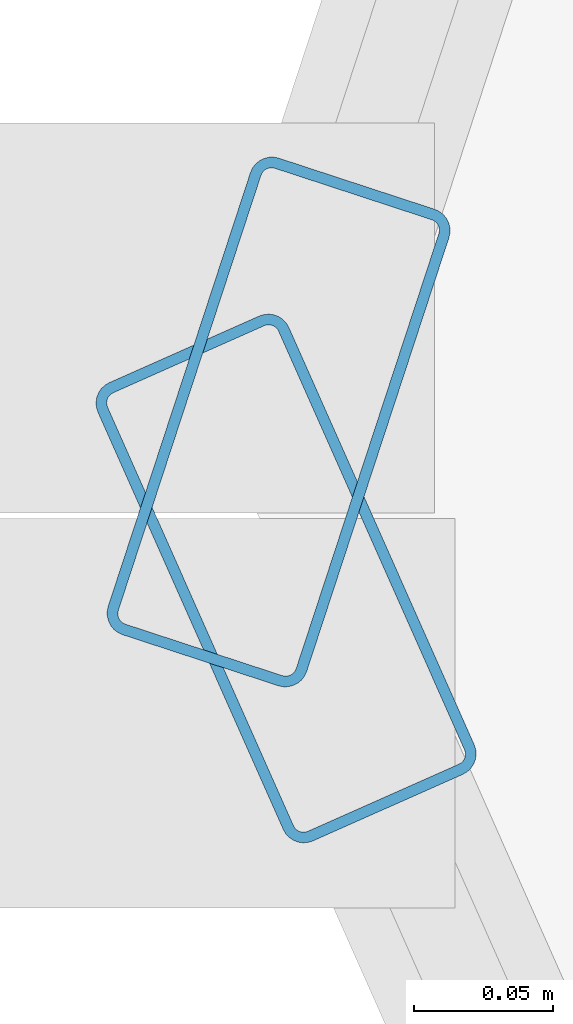
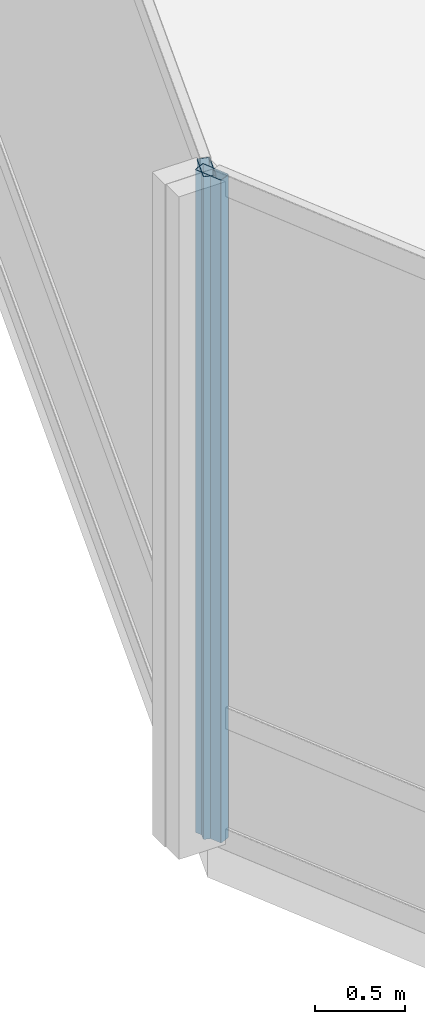
# One storey, part 7 of 42: 2 members, 2 elements without a shape of their own.
"""IFC4 building model written with IfcOpenShell, lengths in metres."""

import ifcopenshell
import ifcopenshell.guid

model = None  # the IFC model being written
_history = None  # IfcOwnerHistory: only IFC2X3 demands one
_inside = {}  # id of a spatial element -> (the spatial element, [elements in it])
_under = {}  # id of a project, library or spatial element -> (it, [spatial elements below it])
_declared = {}  # id of a project -> (the project, [libraries it declares])
_typed = {}  # id of a type object -> (the type object, [elements of that type])
_made_of = {}  # id of a material, layer set ... -> (it, [elements and type objects made of it])


def new_model(schema):
    """Start an empty IFC model of exactly this schema.

    Asked for "IFC4X3", IfcOpenShell would pick the latest addendum, in which some entities
    have other attributes; the version numbers below select the first issue.
    IFC2X3 requires an IfcOwnerHistory on every rooted entity: one is made here for all.
    """
    global model, _history
    if schema == "IFC4X3":
        model = ifcopenshell.file(schema_version=(4, 3, 0, 0))
    else:
        model = ifcopenshell.file(schema=schema)
    _inside.clear()
    _under.clear()
    _declared.clear()
    _typed.clear()
    _made_of.clear()
    _history = None
    if model.schema == "IFC2X3":
        org = make("IfcOrganization", Name="unknown")
        user = make(
            "IfcPersonAndOrganization",
            ThePerson=make("IfcPerson", FamilyName="unknown"),
            TheOrganization=org,
        )
        app = make(
            "IfcApplication",
            ApplicationDeveloper=org,
            Version="unknown",
            ApplicationFullName="unknown",
            ApplicationIdentifier="unknown",
        )
        _history = make(
            "IfcOwnerHistory",
            OwningUser=user,
            OwningApplication=app,
            ChangeAction="ADDED",
            CreationDate=0,
        )
    return model


def make(cls, **values):
    """One entity of the class cls with the attributes given. An attribute that is None is left unset."""
    return model.create_entity(
        cls, **{name: value for name, value in values.items() if value is not None}
    )


def rooted(cls, **values):
    """An entity with a GlobalId (a new one), such as an element, a storey or a relation."""
    return make(cls, GlobalId=ifcopenshell.guid.new(), OwnerHistory=_history, **values)


def si_unit(unit_type, name, prefix=None):
    """IfcSIUnit, for example si_unit("LENGTHUNIT", "METRE", prefix="MILLI")."""
    return make("IfcSIUnit", UnitType=unit_type, Prefix=prefix, Name=name)


def assignment(units):
    """IfcUnitAssignment: the units of a project."""
    return None if units is None else make("IfcUnitAssignment", Units=units)


def point(xyz):
    """IfcCartesianPoint."""
    return None if xyz is None else make("IfcCartesianPoint", Coordinates=xyz)


def direction(xyz):
    """IfcDirection."""
    return None if xyz is None else make("IfcDirection", DirectionRatios=xyz)


def frame(location, z_axis=None, x_axis=None):
    """IfcAxis2Placement3D, a coordinate frame: its origin and axes. An axis left out is left unset."""
    return make(
        "IfcAxis2Placement3D",
        Location=point(location),
        Axis=direction(z_axis),
        RefDirection=direction(x_axis),
    )


def frame_2d(location, x_axis=None):
    """IfcAxis2Placement2D, a coordinate frame in the plane: its origin and x axis."""
    return make(
        "IfcAxis2Placement2D", Location=point(location), RefDirection=direction(x_axis)
    )


def origin():
    """The frame at (0, 0, 0) with its axes left unset."""
    return frame((0.0, 0.0, 0.0))


def origin_2d():
    """The frame at (0, 0) in the plane with its x axis left unset."""
    return frame_2d((0.0, 0.0))


def place(relative_to, where):
    """IfcLocalPlacement: puts the frame where relative to a parent placement (None: the world)."""
    return make(
        "IfcLocalPlacement", PlacementRelTo=relative_to, RelativePlacement=where
    )


def context(
    kind, dimensions, precision=None, world=None, true_north=None, identifier=None
):
    """IfcGeometricRepresentationContext, for example the 3D "Model" context."""
    return make(
        "IfcGeometricRepresentationContext",
        ContextIdentifier=identifier,
        ContextType=kind,
        CoordinateSpaceDimension=dimensions,
        Precision=precision,
        WorldCoordinateSystem=world,
        TrueNorth=true_north,
    )


def subcontext(parent, identifier, kind, view, scale=None):
    """IfcGeometricRepresentationSubContext, for example "Body" below "Model"."""
    return make(
        "IfcGeometricRepresentationSubContext",
        ContextIdentifier=identifier,
        ContextType=kind,
        ParentContext=parent,
        TargetScale=scale,
        TargetView=view,
    )


def project(units=None, contexts=None):
    """IfcProject with its units and contexts."""
    return rooted(
        "IfcProject",
        Name="project",
        RepresentationContexts=contexts,
        UnitsInContext=assignment(units),
    )


def spatial(cls, under=None, at=None, **own):
    """A site, building, storey or space (cls), placed at a placement, below another one or the project."""
    s = rooted(cls, ObjectPlacement=at, **own)
    if under is not None:
        _under.setdefault(under.id(), (under, []))[1].append(s)
    return s


def profile(cls, at=None, kind="AREA", **sizes):
    """A parametric profile (cls). Its sizes go by their IFC names, for example OverallWidth=200.0."""
    return make(cls, ProfileType=kind, Position=at, **sizes)


def hollow_rectangle(**sizes):
    """IfcRectangleHollowProfileDef."""
    return profile("IfcRectangleHollowProfileDef", **sizes)


def extrude(swept, where, along, depth):
    """IfcExtrudedAreaSolid: the profile swept, set in the frame where, extruded along a direction by depth."""
    return make(
        "IfcExtrudedAreaSolid",
        SweptArea=swept,
        Position=where,
        ExtrudedDirection=direction(along),
        Depth=depth,
    )


def shape(context_of_items, identifier, shape_type, items):
    """IfcShapeRepresentation: the items that make up one representation, for example the "Body"."""
    return make(
        "IfcShapeRepresentation",
        ContextOfItems=context_of_items,
        RepresentationIdentifier=identifier,
        RepresentationType=shape_type,
        Items=items,
    )


def material(Name=None, Category=None):
    """IfcMaterial."""
    return make("IfcMaterial", Name=Name, Category=Category)


def layer(
    of_material, thickness, ventilated=None, Name=None, Category=None, Priority=None
):
    """IfcMaterialLayer: one layer of a wall or slab, of a material (None: an air gap)."""
    return make(
        "IfcMaterialLayer",
        Material=of_material,
        LayerThickness=thickness,
        IsVentilated=ventilated,
        Name=Name,
        Category=Category,
        Priority=Priority,
    )


def layer_set(layers, Name=None):
    """IfcMaterialLayerSet."""
    return make("IfcMaterialLayerSet", MaterialLayers=layers, LayerSetName=Name)


def material_profile(
    of_material, cross_section, Name=None, Category=None, Priority=None
):
    """IfcMaterialProfile: a cross section and its material."""
    return make(
        "IfcMaterialProfile",
        Name=Name,
        Material=of_material,
        Profile=cross_section,
        Priority=Priority,
        Category=Category,
    )


def profile_set(profiles, Name=None, composite=None):
    """IfcMaterialProfileSet."""
    return make(
        "IfcMaterialProfileSet",
        Name=Name,
        MaterialProfiles=profiles,
        CompositeProfile=composite,
    )


def made_of(thing, what):
    """Note that an element or type object is made of a material, layer set ...; save() writes the relation."""
    if what is not None:
        _made_of.setdefault(what.id(), (what, []))[1].append(thing)
    return thing


def type_object(cls, material=None, **own):
    """A type object (cls), such as IfcWallType, which elements share."""
    return made_of(rooted(cls, **own), material)


def element(
    cls,
    number,
    at=None,
    inside=None,
    cuts=None,
    type_object=None,
    material=None,
    context=None,
    identifier="Body",
    shape_type=None,
    held_by="IfcProductDefinitionShape",
    body=None,
    shapes=None,
    **own,
):
    """One element of the class cls, such as IfcWall. Its Tag is "e" and its number.

    at: its placement. inside: the storey or other place that contains it. cuts: it is an
    opening in that element (IfcRelVoidsElement). A single representation is given by context,
    identifier, shape_type and body (its items); several are given by shapes. held_by: the class
    of the entity that holds the representations. save() writes the other relations.
    """
    e = rooted(cls, Tag="e%d" % number, ObjectPlacement=at, **own)
    if body is not None:
        shapes = [shape(context, identifier, shape_type, body)]
    if shapes is not None:
        e.Representation = make(held_by, Representations=shapes)
    if inside is not None:
        _inside.setdefault(inside.id(), (inside, []))[1].append(e)
    if cuts is not None:
        rooted(
            "IfcRelVoidsElement", RelatingBuildingElement=cuts, RelatedOpeningElement=e
        )
    if type_object is not None:
        _typed.setdefault(type_object.id(), (type_object, []))[1].append(e)
    return made_of(e, material)


def aggregate(whole, parts):
    """IfcRelAggregates: a whole, such as a stair, and the parts it consists of."""
    return rooted("IfcRelAggregates", RelatingObject=whole, RelatedObjects=parts)


def save(model, path):
    """Write the relations noted so far, then the file.

    IfcRelAggregates (storeys below a building ...), IfcRelContainedInSpatialStructure (elements
    in a storey), IfcRelDefinesByType, IfcRelAssociatesMaterial and IfcRelDeclares: one each for
    every whole, place, type object, material and project.
    """
    for whole, parts in _under.values():
        aggregate(whole, parts)
    for where, things in _inside.values():
        rooted(
            "IfcRelContainedInSpatialStructure",
            RelatedElements=things,
            RelatingStructure=where,
        )
    for kind, things in _typed.values():
        rooted("IfcRelDefinesByType", RelatedObjects=things, RelatingType=kind)
    for what, things in _made_of.values():
        rooted("IfcRelAssociatesMaterial", RelatedObjects=things, RelatingMaterial=what)
    for by, libraries in _declared.values():
        rooted("IfcRelDeclares", RelatingContext=by, RelatedDefinitions=libraries)
    model.write(path)


model = new_model("IFC4")

# Units and contexts
model_context = context("Model", 3, precision=1e-05, world=origin(), true_north=direction((0.0, 1.0)))
body_context = subcontext(model_context, "Body", "Model", "MODEL_VIEW")
ifc_project = project(units=[si_unit("LENGTHUNIT", "METRE"), si_unit("AREAUNIT", "SQUARE_METRE"), si_unit("VOLUMEUNIT", "CUBIC_METRE"), si_unit("PLANEANGLEUNIT", "RADIAN"), si_unit("MASSUNIT", "GRAM", prefix="KILO")], contexts=[model_context])

# Site, building, storey
site_placement = place(None, origin())
site = spatial("IfcSite", under=ifc_project, at=site_placement, CompositionType="ELEMENT")
building_placement = place(site_placement, origin())
building = spatial("IfcBuilding", under=site, at=building_placement, Name="Solvaryn Broadcast Tower", CompositionType="ELEMENT")
storey_placement = place(building_placement, frame((0.0, 0.0, 100.199951171875)))
storey = spatial("IfcBuildingStorey", under=building, at=storey_placement, Name="L24", CompositionType="ELEMENT", Elevation=100.199951171875)

# Curtain wall, member
ifc_material_1 = material(Name="Aluminium and Terracotta Unitised Curtain Wall", Category="masonry")
ifc_layer = layer(ifc_material_1, 0.199951171875)
ifc_layer_set = layer_set([ifc_layer], Name="CW-SYS2-LOWMID")
curtain_wall_type = type_object("IfcCurtainWallType", Name="CW-SYS2-LOWMID", PredefinedType="NOTDEFINED", material=ifc_layer_set)
curtain_wall_1_placement = place(storey_placement, origin())
curtain_wall_1 = element("IfcCurtainWall", 1, at=curtain_wall_1_placement, inside=storey, type_object=curtain_wall_type, Name="L24 Curtain Wall DR1", PredefinedType="NOTDEFINED")
ifc_material_2 = material(Name="Anodised Aluminium 6063-T6", Category="aluminium")
ifc_material_profile = material_profile(ifc_material_2, hollow_rectangle(XDim=0.074951171875, YDim=0.179931640625, WallThickness=0.00390625, InnerFilletRadius=0.00390625, OuterFilletRadius=0.008056640625, at=origin_2d()))
ifc_profile_set = profile_set([ifc_material_profile], Name="Anodised Aluminium 6063-T6")
member_type = type_object("IfcMemberType", Name="CW-MUL-180", PredefinedType="MULLION", material=ifc_profile_set)
member_1_placement = place(storey_placement, frame((-0.45458984375, 26.588623046875, 0.0), z_axis=(0.0, 0.0, 1.0), x_axis=(0.950215318429, -0.311594044587, 0.0)))
member_1 = element("IfcMember", 2, at=member_1_placement, type_object=member_type, Name="CWS2 mullion 3", PredefinedType="MULLION", context=body_context, shape_type="SweptSolid", body=[
    extrude(hollow_rectangle(XDim=0.074951171875, YDim=0.179931640625, WallThickness=0.00390625, InnerFilletRadius=0.00390625, OuterFilletRadius=0.008056640625, at=origin_2d()), origin(), (0.0, 0.0, 1.0), 4.469970703125),
])
aggregate(curtain_wall_1, [member_1])

curtain_wall_2_placement = place(storey_placement, origin())
curtain_wall_2 = element("IfcCurtainWall", 3, at=curtain_wall_2_placement, inside=storey, type_object=curtain_wall_type, Name="L24 Curtain Wall DR2", PredefinedType="NOTDEFINED")
member_2_placement = place(storey_placement, frame((-0.451904296875, 26.532470703125, 0.0), z_axis=(0.0, 0.0, 1.0), x_axis=(0.913918257271, 0.405898286554, 0.0)))
member_2 = element("IfcMember", 4, at=member_2_placement, type_object=member_type, Name="CWS2 mullion 1", PredefinedType="MULLION", context=body_context, shape_type="SweptSolid", body=[
    extrude(hollow_rectangle(XDim=0.074951171875, YDim=0.179931640625, WallThickness=0.00390625, InnerFilletRadius=0.00390625, OuterFilletRadius=0.008056640625, at=origin_2d()), origin(), (0.0, 0.0, 1.0), 4.469970703125),
])
aggregate(curtain_wall_2, [member_2])

save(model, "model.ifc")
